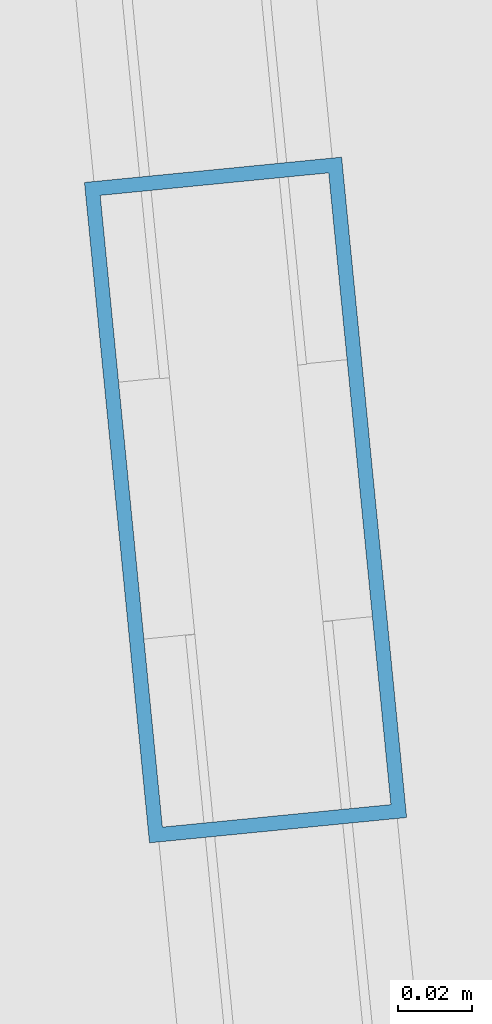
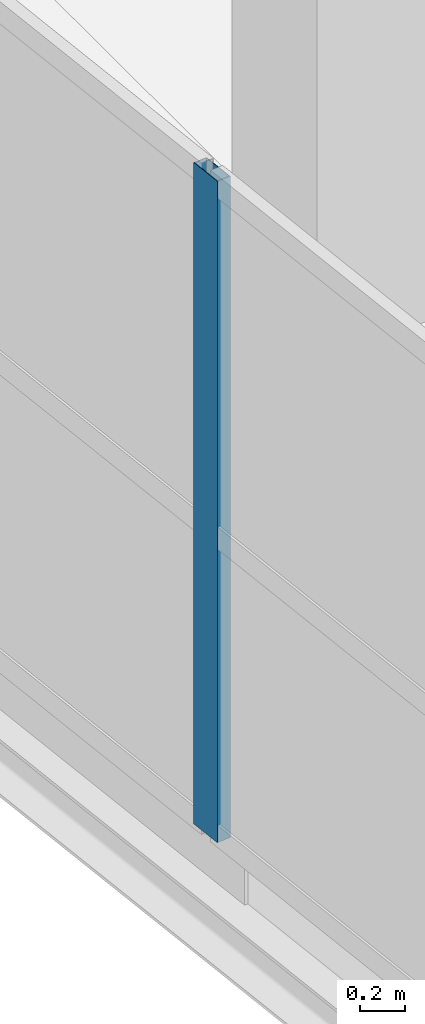
# One storey, part 8 of 49: 1 member, 1 element without a shape of its own.
"""IFC4 building model written with IfcOpenShell, lengths in metres."""

from ifc_helpers import new_model, si_unit, direction, frame, origin, origin_2d, place, context, subcontext, project, spatial, hollow_rectangle, extrude, material, layer, layer_set, material_profile, profile_set, type_object, element, aggregate, save


model = new_model("IFC4")

# Units and contexts
model_context = context("Model", 3, precision=1e-05, world=origin(), true_north=direction((0.0, 1.0)))
body_context = subcontext(model_context, "Body", "Model", "MODEL_VIEW")
ifc_project = project(units=[si_unit("LENGTHUNIT", "METRE"), si_unit("AREAUNIT", "SQUARE_METRE"), si_unit("VOLUMEUNIT", "CUBIC_METRE"), si_unit("PLANEANGLEUNIT", "RADIAN"), si_unit("MASSUNIT", "GRAM", prefix="KILO")], contexts=[model_context])

# Site, building, storey
site_placement = place(None, origin())
site = spatial("IfcSite", under=ifc_project, at=site_placement, CompositionType="ELEMENT")
building_placement = place(site_placement, origin())
building = spatial("IfcBuilding", under=site, at=building_placement, Name="Sillaruma Civic Art Gallery", CompositionType="ELEMENT")
storey_placement = place(building_placement, frame((0.0, 0.0, 33.14990234375)))
storey = spatial("IfcBuildingStorey", under=building, at=storey_placement, Name="L06", CompositionType="ELEMENT", Elevation=33.14990234375)

# Curtain wall, member
ifc_material = material(Name="Thermally Broken Extruded Aluminium 6063-T6", Category="aluminium")
ifc_layer = layer(ifc_material, 0.179931640625, Name="Thermally Broken Extruded Aluminium 6063-T6")
ifc_layer_set = layer_set([ifc_layer], Name="Thermally Broken Extruded Aluminium 6063-T6")
curtain_wall_type = type_object("IfcCurtainWallType", Name="CW-UNI-41", PredefinedType="NOTDEFINED", material=ifc_layer_set)
curtain_wall_placement = place(storey_placement, origin())
curtain_wall = element("IfcCurtainWall", 1, at=curtain_wall_placement, inside=storey, type_object=curtain_wall_type, Name="Unitised Curtain Wall CW-41 (CW-PRW-L06-W-ANG)", PredefinedType="NOTDEFINED")
ifc_material_profile = material_profile(ifc_material, hollow_rectangle(XDim=0.070068359375, YDim=0.179931640625, WallThickness=0.00390625, at=origin_2d()), Name="CWM70x180")
ifc_profile_set = profile_set([ifc_material_profile], Name="Thermally Broken Extruded Aluminium 6063-T6")
member_type = type_object("IfcMemberType", Name="MEM-MUL-CWM70x180", PredefinedType="MULLION", material=ifc_profile_set)
member_placement = place(storey_placement, frame((59.39990234375, 46.199951171875, 0.0), z_axis=(0.0, 0.0, 1.0), x_axis=(0.99518536297, 0.098010679679, 0.0)))
member = element("IfcMember", 2, at=member_placement, type_object=member_type, Name="CW-41 mullion 3", PredefinedType="MULLION", context=body_context, shape_type="SweptSolid", body=[
    extrude(hollow_rectangle(XDim=0.070068359375, YDim=0.179931640625, WallThickness=0.00390625, at=origin_2d()), origin(), (0.0, 0.0, 1.0), 3.570068359375),
])
aggregate(curtain_wall, [member])

save(model, "model.ifc")
